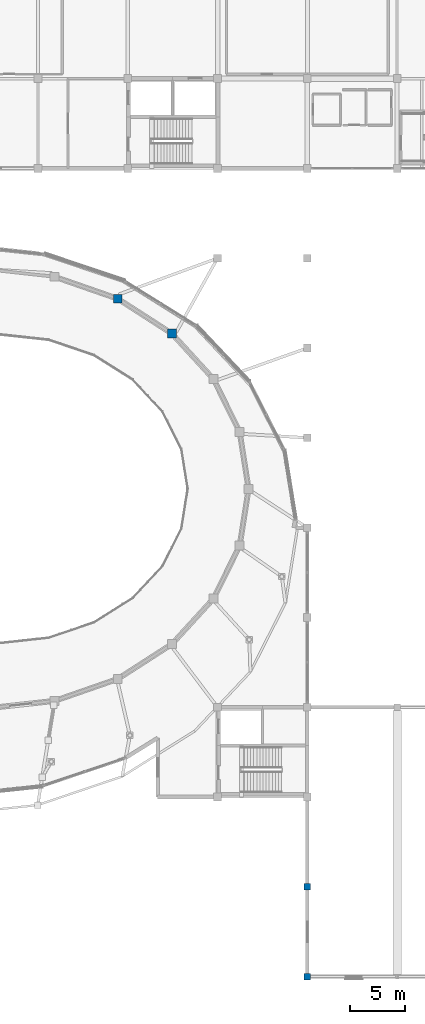
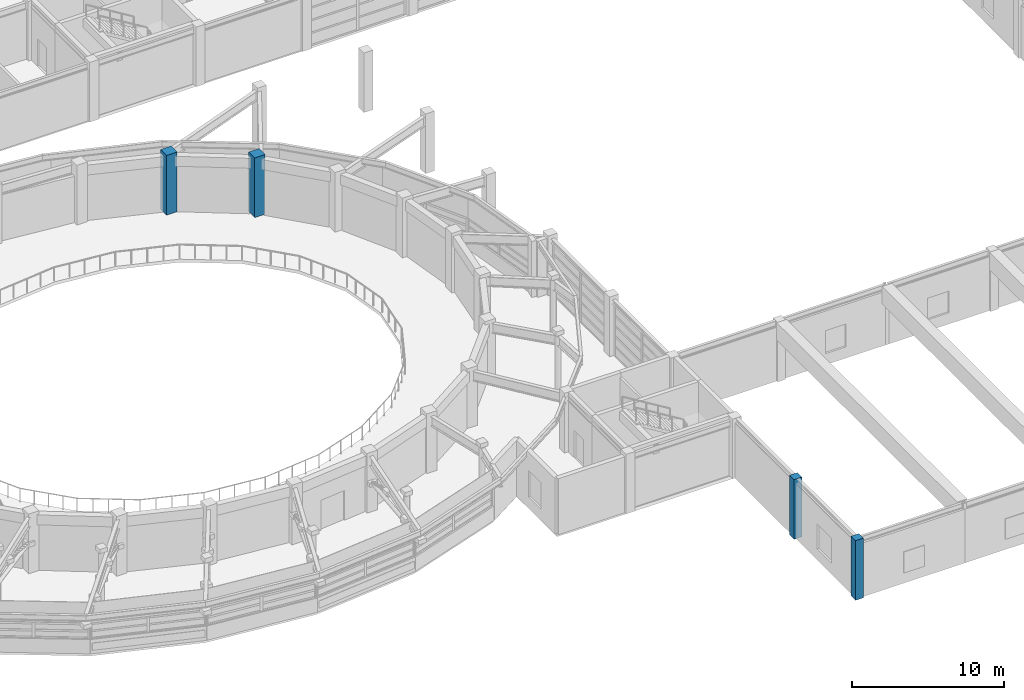
# One storey, part 3 of 58: 4 columns.
"""IFC4 building model written with IfcOpenShell, lengths in metres."""

from ifc_helpers import new_model, si_unit, direction, frame, origin, origin_2d, place, context, subcontext, project, spatial, rectangle, extrude, material, material_profile, profile_set, type_object, element, save


model = new_model("IFC4")

# Units and contexts
model_context = context("Model", 3, precision=1e-05, world=origin(), true_north=direction((0.0, 1.0)))
body_context = subcontext(model_context, "Body", "Model", "MODEL_VIEW")
ifc_project = project(units=[si_unit("LENGTHUNIT", "METRE"), si_unit("AREAUNIT", "SQUARE_METRE"), si_unit("VOLUMEUNIT", "CUBIC_METRE"), si_unit("PLANEANGLEUNIT", "RADIAN"), si_unit("MASSUNIT", "GRAM", prefix="KILO")], contexts=[model_context])

# Site, building, storey
site_placement = place(None, origin())
site = spatial("IfcSite", under=ifc_project, at=site_placement, CompositionType="ELEMENT")
building_placement = place(site_placement, origin())
building = spatial("IfcBuilding", under=site, at=building_placement, Name="Parian Resonance Hall", CompositionType="ELEMENT")
storey_placement = place(building_placement, frame((0.0, 0.0, 10.199951171875)))
storey = spatial("IfcBuildingStorey", under=building, at=storey_placement, Name="L02", CompositionType="ELEMENT", Elevation=10.199951171875)

# Columns
ifc_material_1 = material(Name="Concrete C40/50", Category="concrete")
ifc_material_profile_1 = material_profile(ifc_material_1, rectangle(XDim=0.60009765625, YDim=0.60009765625, at=origin_2d()), Name="RC-COL-600x600")
ifc_profile_set_1 = profile_set([ifc_material_profile_1], Name="Concrete C40/50")
column_type_1 = type_object("IfcColumnType", Name="COL-RC600", PredefinedType="COLUMN", material=ifc_profile_set_1)
for number, where, z_axis, x_axis, name in (
    (1, (72.89990234375, 0.0, 0.0), (0.0, 0.0, 1.0), (1.0, 0.0, 0.0), "Column G10-01 L02"),
    (2, (72.89990234375, 8.10009765625, 0.0), (0.0, 0.0, 1.0), (1.0, 0.0, 0.0), "Column G10-02 L02"),
):
    element("IfcColumn", number, at=place(storey_placement, frame(where, z_axis=z_axis, x_axis=x_axis)), inside=storey, type_object=column_type_1, Name=name, PredefinedType="COLUMN", context=body_context, shape_type="SweptSolid", body=[
        extrude(rectangle(XDim=0.60009765625, YDim=0.60009765625, at=origin_2d()), origin(), (0.0, 0.0, 1.0), 4.800048828125),
    ])
ifc_material_2 = material(Name="Concrete C40/50", Category="concrete")
ifc_material_profile_2 = material_profile(ifc_material_2, rectangle(XDim=0.800048828125, YDim=0.800048828125, at=origin_2d()), Name="RC-COL-800x800")
ifc_profile_set_2 = profile_set([ifc_material_profile_2], Name="Concrete C40/50")
column_type_2 = type_object("IfcColumnType", Name="COL-RC800", PredefinedType="COLUMN", material=ifc_profile_set_2)
for number, where, z_axis, x_axis, name in (
    (3, (60.687744140625, 58.000732421875, 0.0), (0.0, 0.0, 1.0), (1.0, 0.0, 0.0), "Column DRM-04 L02"),
    (4, (55.800048828125, 61.147216796875, 0.0), (0.0, 0.0, 1.0), (1.0, 0.0, 0.0), "Column DRM-05 L02"),
):
    element("IfcColumn", number, at=place(storey_placement, frame(where, z_axis=z_axis, x_axis=x_axis)), inside=storey, type_object=column_type_2, Name=name, PredefinedType="COLUMN", context=body_context, shape_type="SweptSolid", body=[
        extrude(rectangle(XDim=0.800048828125, YDim=0.800048828125, at=origin_2d()), origin(), (0.0, 0.0, 1.0), 4.800048828125),
    ])

save(model, "model.ifc")
